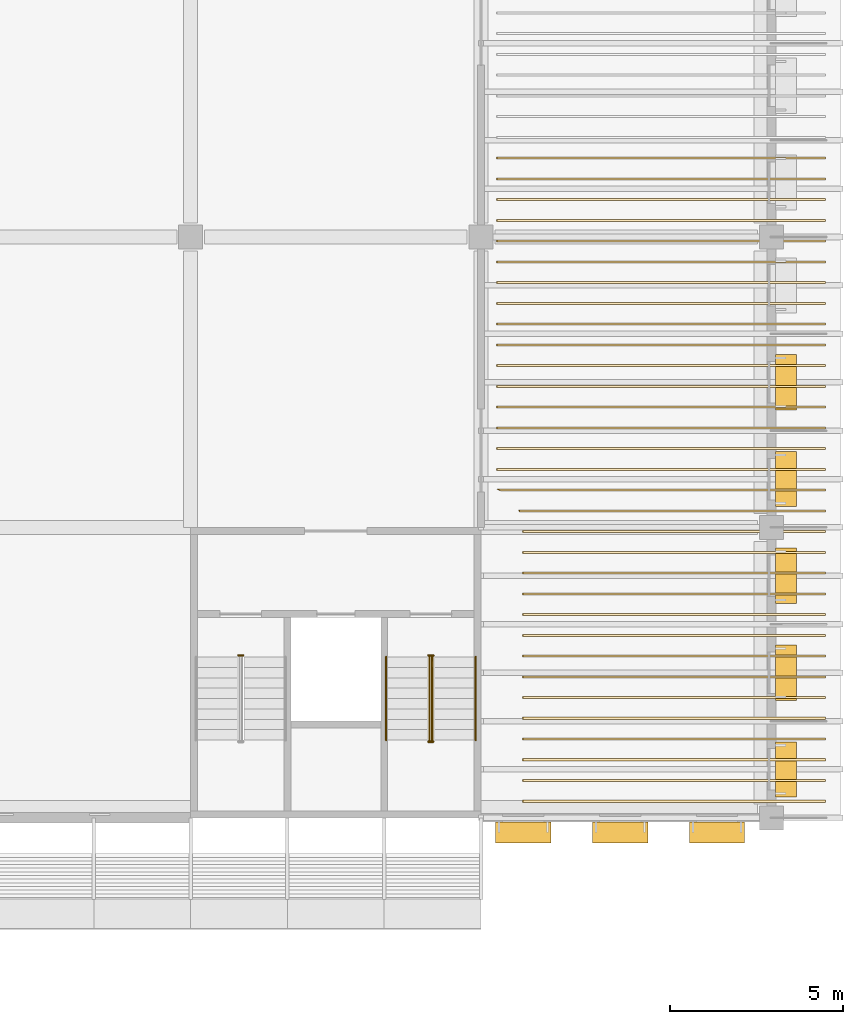
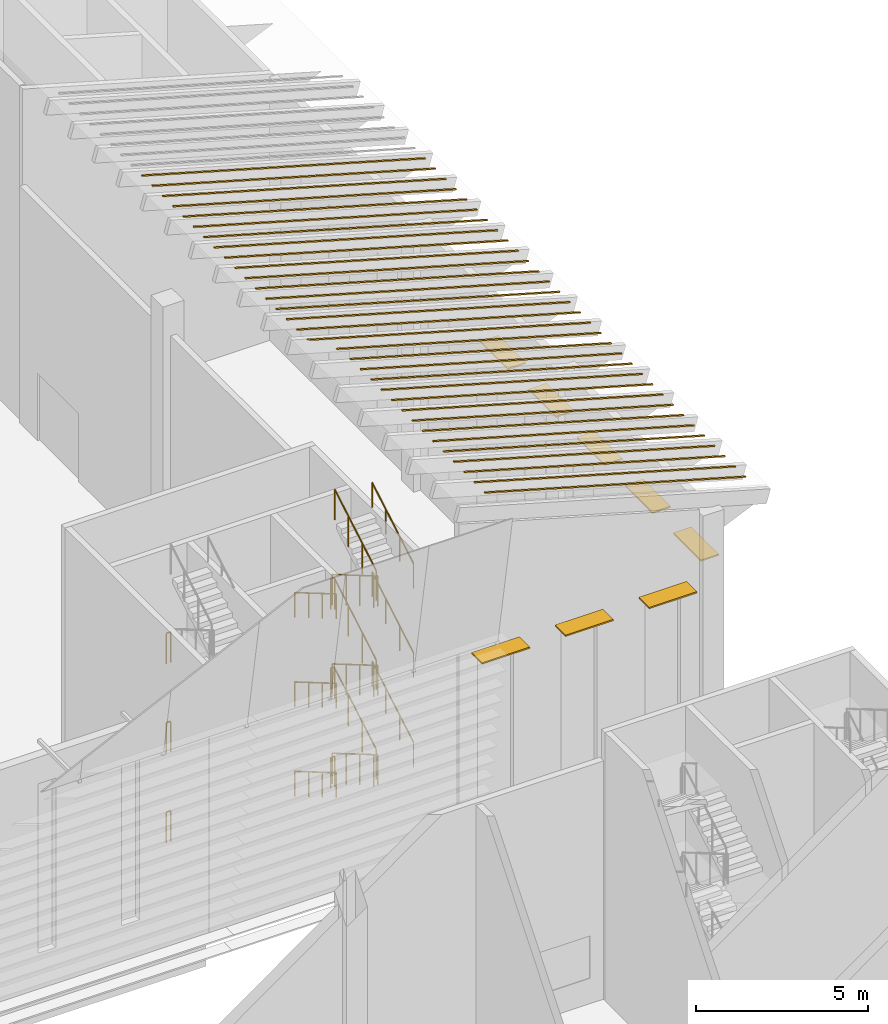
# One storey, part 111 of 114: 32 coverings, 21 railings, 8 shading devices.
"""IFC4 building model written with IfcOpenShell, lengths in metres."""

from ifc_helpers import new_model, si_unit, direction, frame, origin, origin_2d, place, context, subcontext, project, spatial, polyline, rectangle, circle, outline, extrude, material, layer, layer_set, material_profile, profile_set, type_object, element, save


model = new_model("IFC4")

# Units and contexts
model_context = context("Model", 3, precision=1e-05, world=origin(), true_north=direction((0.0, 1.0)))
body_context = subcontext(model_context, "Body", "Model", "MODEL_VIEW")
ifc_project = project(units=[si_unit("LENGTHUNIT", "METRE"), si_unit("AREAUNIT", "SQUARE_METRE"), si_unit("VOLUMEUNIT", "CUBIC_METRE"), si_unit("PLANEANGLEUNIT", "RADIAN"), si_unit("MASSUNIT", "GRAM", prefix="KILO")], contexts=[model_context])

# Site, building, storey
site_placement = place(None, origin())
site = spatial("IfcSite", under=ifc_project, at=site_placement, CompositionType="ELEMENT")
building_placement = place(site_placement, origin())
building = spatial("IfcBuilding", under=site, at=building_placement, Name="Almond Square Museum", CompositionType="ELEMENT")
storey_placement = place(building_placement, frame((0.0, 0.0, 10.5)))
storey = spatial("IfcBuildingStorey", under=building, at=storey_placement, Name="L02", CompositionType="ELEMENT", Elevation=10.5)

# Coverings
ifc_material_1 = material(Name="Zinc standing seam")
ifc_layer = layer(ifc_material_1, 0.0400390625)
ifc_layer_set = layer_set([ifc_layer], Name="Zinc standing seam")
covering_type = type_object("IfcCoveringType", Name="Roof standing seam rib 60 x 40", PredefinedType="CLADDING", material=ifc_layer_set)
covering_1_placement = place(storey_placement, frame((158.75, 50.85009765625, 9.55712890625), z_axis=(0.274721127897, 0.0, 0.961523947641), x_axis=(0.0, 1.0, 0.0)))
element("IfcCovering", 1, at=covering_1_placement, inside=storey, type_object=covering_type, Name="Roof standing seam rib", PredefinedType="CLADDING", context=body_context, shape_type="SweptSolid", body=[
    extrude(outline(polyline([(0.0, 0.0), (0.059814453125, 0.0), (0.059814453125, 9.100137361600648), (0.0, 9.100137361600648), (0.0, 0.0)])), origin(), (0.0, 0.0, 1.0), 0.0400390625),
])
for number, where, z_axis, x_axis, name in (
    (2, (158.75, 51.449951171875, 9.55712890625), (0.274721127897, 0.0, 0.961523947641), (0.0, 1.0, 0.0), "Roof standing seam rib"),
    (3, (158.75, 52.050048828125, 9.55712890625), (0.274721127897, 0.0, 0.961523947641), (0.0, 1.0, 0.0), "Roof standing seam rib"),
    (4, (158.75, 52.64990234375, 9.55712890625), (0.274721127897, 0.0, 0.961523947641), (0.0, 1.0, 0.0), "Roof standing seam rib"),
    (5, (158.75, 53.25, 9.55712890625), (0.274721127897, 0.0, 0.961523947641), (0.0, 1.0, 0.0), "Roof standing seam rib"),
):
    element("IfcCovering", number, at=place(storey_placement, frame(where, z_axis=z_axis, x_axis=x_axis)), inside=storey, type_object=covering_type, Name=name, PredefinedType="CLADDING", context=body_context, shape_type="SweptSolid", body=[
        extrude(outline(polyline([(0.0, 0.0), (0.06005859375, 0.0), (0.06005859375, 9.100137361600648), (0.0, 9.100137361600648), (0.0, 0.0)])), origin(), (0.0, 0.0, 1.0), 0.0400390625),
    ])
covering_2_placement = place(storey_placement, frame((158.75, 53.85009765625, 9.55712890625), z_axis=(0.274721127897, 0.0, 0.961523947641), x_axis=(0.0, 1.0, 0.0)))
element("IfcCovering", 6, at=covering_2_placement, inside=storey, type_object=covering_type, Name="Roof standing seam rib", PredefinedType="CLADDING", context=body_context, shape_type="SweptSolid", body=[
    extrude(outline(polyline([(0.0, 0.0), (0.059814453125, 0.0), (0.059814453125, 9.100137361600648), (0.0, 9.100137361600648), (0.0, 0.0)])), origin(), (0.0, 0.0, 1.0), 0.0400390625),
])
for number, where, z_axis, x_axis, name in (
    (7, (158.75, 54.449951171875, 9.55712890625), (0.274721127897, 0.0, 0.961523947641), (0.0, 1.0, 0.0), "Roof standing seam rib"),
    (8, (158.75, 55.050048828125, 9.55712890625), (0.274721127897, 0.0, 0.961523947641), (0.0, 1.0, 0.0), "Roof standing seam rib"),
    (9, (158.75, 55.64990234375, 9.55712890625), (0.274721127897, 0.0, 0.961523947641), (0.0, 1.0, 0.0), "Roof standing seam rib"),
    (10, (158.75, 56.25, 9.55712890625), (0.274721127897, 0.0, 0.961523947641), (0.0, 1.0, 0.0), "Roof standing seam rib"),
):
    element("IfcCovering", number, at=place(storey_placement, frame(where, z_axis=z_axis, x_axis=x_axis)), inside=storey, type_object=covering_type, Name=name, PredefinedType="CLADDING", context=body_context, shape_type="SweptSolid", body=[
        extrude(outline(polyline([(0.0, 0.0), (0.06005859375, 0.0), (0.06005859375, 9.100137361600648), (0.0, 9.100137361600648), (0.0, 0.0)])), origin(), (0.0, 0.0, 1.0), 0.0400390625),
    ])
covering_3_placement = place(storey_placement, frame((158.75, 56.85009765625, 9.55712890625), z_axis=(0.274721127897, 0.0, 0.961523947641), x_axis=(0.0, 1.0, 0.0)))
element("IfcCovering", 11, at=covering_3_placement, inside=storey, type_object=covering_type, Name="Roof standing seam rib", PredefinedType="CLADDING", context=body_context, shape_type="SweptSolid", body=[
    extrude(outline(polyline([(0.0, 0.0), (0.059814453125, 0.0), (0.059814453125, 9.100137361600648), (0.0, 9.100137361600648), (0.0, 0.0)])), origin(), (0.0, 0.0, 1.0), 0.0400390625),
])
for number, where, z_axis, x_axis, name in (
    (12, (158.75, 57.449951171875, 9.55712890625), (0.274721127897, 0.0, 0.961523947641), (0.0, 1.0, 0.0), "Roof standing seam rib"),
    (13, (158.75, 58.050048828125, 9.55712890625), (0.274721127897, 0.0, 0.961523947641), (0.0, 1.0, 0.0), "Roof standing seam rib"),
    (14, (158.75, 58.64990234375, 9.55712890625), (0.274721127897, 0.0, 0.961523947641), (0.0, 1.0, 0.0), "Roof standing seam rib"),
):
    element("IfcCovering", number, at=place(storey_placement, frame(where, z_axis=z_axis, x_axis=x_axis)), inside=storey, type_object=covering_type, Name=name, PredefinedType="CLADDING", context=body_context, shape_type="SweptSolid", body=[
        extrude(outline(polyline([(0.0, 0.0), (0.06005859375, 0.0), (0.06005859375, 9.100137361600648), (0.0, 9.100137361600648), (0.0, 0.0)])), origin(), (0.0, 0.0, 1.0), 0.0400390625),
    ])
covering_4_placement = place(storey_placement, frame((158.75, 59.25, 9.55712890625), z_axis=(0.274721085071, 0.000558376189, 0.961523797747), x_axis=(-0.000153397736, 0.999999844108, -0.000536892078)))
element("IfcCovering", 15, at=covering_4_placement, inside=storey, type_object=covering_type, Name="Roof standing seam rib", PredefinedType="CLADDING", context=body_context, shape_type="SweptSolid", body=[
    extrude(outline(polyline([(0.0, 0.0), (0.06005858438734591, 1.6278914455043585e-21), (0.06005860311265554, 9.220227249173952), (-1.8725309629263887e-08, 9.19155457286142), (0.0, 0.0)])), origin(), (0.0, 0.0, 1.0), 0.0400390625),
])
covering_5_placement = place(storey_placement, frame((149.255615234375, 59.909912109375, 12.27001953125), z_axis=(0.274727015498, -0.00223525422, 0.961519667295), x_axis=(0.871822851237, -0.421172189515, -0.250077793576)))
element("IfcCovering", 16, at=covering_5_placement, inside=storey, type_object=covering_type, Name="Roof standing seam rib", PredefinedType="CLADDING", context=body_context, shape_type="SweptSolid", body=[
    extrude(outline(polyline([(0.0, 0.0), (0.14201970944104342, 0.0), (8.98104748300836, 4.104568369231632), (8.955855298821037, 4.1588187589324335), (0.0, 0.0)])), origin(), (0.0, 0.0, 1.0), 0.0400390625),
])
for number, where, z_axis, x_axis, name in (
    (17, (158.75, 60.510009765625, 9.55712890625), (0.274727655105, 0.0, 0.9615220827), (-0.9615220827, 0.0, 0.274727655105), "Roof standing seam rib"),
    (18, (158.75, 61.110107421875, 9.55712890625), (0.274727655105, 0.0, 0.9615220827), (-0.9615220827, 0.0, 0.274727655105), "Roof standing seam rib"),
    (19, (158.75, 61.7099609375, 9.55712890625), (0.274727655105, 0.0, 0.9615220827), (-0.9615220827, 0.0, 0.274727655105), "Roof standing seam rib"),
    (20, (158.75, 62.31005859375, 9.55712890625), (0.274727655105, 0.0, 0.9615220827), (-0.9615220827, 0.0, 0.274727655105), "Roof standing seam rib"),
):
    element("IfcCovering", number, at=place(storey_placement, frame(where, z_axis=z_axis, x_axis=x_axis)), inside=storey, type_object=covering_type, Name=name, PredefinedType="CLADDING", context=body_context, shape_type="SweptSolid", body=[
        extrude(outline(polyline([(0.0, 0.0), (9.880168298704888, 0.0), (9.880168298704888, 0.06005859375), (0.0, 0.06005859375), (0.0, 0.0)])), origin(), (0.0, 0.0, 1.0), 0.0400390625),
    ])
covering_6_placement = place(storey_placement, frame((158.75, 62.909912109375, 9.55712890625), z_axis=(0.274727655105, 0.0, 0.9615220827), x_axis=(-0.9615220827, 0.0, 0.274727655105)))
element("IfcCovering", 21, at=covering_6_placement, inside=storey, type_object=covering_type, Name="Roof standing seam rib", PredefinedType="CLADDING", context=body_context, shape_type="SweptSolid", body=[
    extrude(outline(polyline([(0.0, 0.0), (9.880168298704888, 0.0), (9.880168298704888, 0.059814453125000014), (0.0, 0.059814453125000014), (0.0, 0.0)])), origin(), (0.0, 0.0, 1.0), 0.0400390625),
])
for number, where, z_axis, x_axis, name in (
    (22, (158.75, 63.510009765625, 9.55712890625), (0.274727655105, 0.0, 0.9615220827), (-0.9615220827, 0.0, 0.274727655105), "Roof standing seam rib"),
    (23, (158.75, 64.110107421875, 9.55712890625), (0.274727655105, 0.0, 0.9615220827), (-0.9615220827, 0.0, 0.274727655105), "Roof standing seam rib"),
    (24, (158.75, 64.7099609375, 9.55712890625), (0.274727655105, 0.0, 0.9615220827), (-0.9615220827, 0.0, 0.274727655105), "Roof standing seam rib"),
    (25, (158.75, 65.31005859375, 9.55712890625), (0.274727655105, 0.0, 0.9615220827), (-0.9615220827, 0.0, 0.274727655105), "Roof standing seam rib"),
):
    element("IfcCovering", number, at=place(storey_placement, frame(where, z_axis=z_axis, x_axis=x_axis)), inside=storey, type_object=covering_type, Name=name, PredefinedType="CLADDING", context=body_context, shape_type="SweptSolid", body=[
        extrude(outline(polyline([(0.0, 0.0), (9.880168298704888, 0.0), (9.880168298704888, 0.06005859375), (0.0, 0.06005859375), (0.0, 0.0)])), origin(), (0.0, 0.0, 1.0), 0.0400390625),
    ])
covering_7_placement = place(storey_placement, frame((158.75, 65.909912109375, 9.55712890625), z_axis=(0.274727655105, 0.0, 0.9615220827), x_axis=(-0.9615220827, 0.0, 0.274727655105)))
element("IfcCovering", 26, at=covering_7_placement, inside=storey, type_object=covering_type, Name="Roof standing seam rib", PredefinedType="CLADDING", context=body_context, shape_type="SweptSolid", body=[
    extrude(outline(polyline([(0.0, 0.0), (9.880168298704888, 0.0), (9.880168298704888, 0.059814453125000014), (0.0, 0.059814453125000014), (0.0, 0.0)])), origin(), (0.0, 0.0, 1.0), 0.0400390625),
])
for number, where, z_axis, x_axis, name in (
    (27, (158.75, 66.510009765625, 9.55712890625), (0.274727655105, 0.0, 0.9615220827), (-0.9615220827, 0.0, 0.274727655105), "Roof standing seam rib"),
    (28, (158.75, 67.110107421875, 9.55712890625), (0.274727655105, 0.0, 0.9615220827), (-0.9615220827, 0.0, 0.274727655105), "Roof standing seam rib"),
    (29, (158.75, 67.7099609375, 9.55712890625), (0.274727655105, 0.0, 0.9615220827), (-0.9615220827, 0.0, 0.274727655105), "Roof standing seam rib"),
    (30, (158.75, 68.31005859375, 9.55712890625), (0.274727655105, 0.0, 0.9615220827), (-0.9615220827, 0.0, 0.274727655105), "Roof standing seam rib"),
):
    element("IfcCovering", number, at=place(storey_placement, frame(where, z_axis=z_axis, x_axis=x_axis)), inside=storey, type_object=covering_type, Name=name, PredefinedType="CLADDING", context=body_context, shape_type="SweptSolid", body=[
        extrude(outline(polyline([(0.0, 0.0), (9.880168298704888, 0.0), (9.880168298704888, 0.06005859375), (0.0, 0.06005859375), (0.0, 0.0)])), origin(), (0.0, 0.0, 1.0), 0.0400390625),
    ])
covering_8_placement = place(storey_placement, frame((158.75, 68.909912109375, 9.55712890625), z_axis=(0.274727655105, 0.0, 0.9615220827), x_axis=(-0.9615220827, 0.0, 0.274727655105)))
element("IfcCovering", 31, at=covering_8_placement, inside=storey, type_object=covering_type, Name="Roof standing seam rib", PredefinedType="CLADDING", context=body_context, shape_type="SweptSolid", body=[
    extrude(outline(polyline([(0.0, 0.0), (9.880168298704888, 0.0), (9.880168298704888, 0.059814453125000014), (0.0, 0.059814453125000014), (0.0, 0.0)])), origin(), (0.0, 0.0, 1.0), 0.0400390625),
])
covering_9_placement = place(storey_placement, frame((158.75, 69.510009765625, 9.55712890625), z_axis=(0.274727655105, 0.0, 0.9615220827), x_axis=(-0.9615220827, 0.0, 0.274727655105)))
element("IfcCovering", 32, at=covering_9_placement, inside=storey, type_object=covering_type, Name="Roof standing seam rib", PredefinedType="CLADDING", context=body_context, shape_type="SweptSolid", body=[
    extrude(outline(polyline([(0.0, 0.0), (9.880168298704888, 0.0), (9.880168298704888, 0.06005859375), (0.0, 0.06005859375), (0.0, 0.0)])), origin(), (0.0, 0.0, 1.0), 0.0400390625),
])

# Railings
ifc_material_2 = material(Name="Stainless steel and laminated glass", Category="steel")
railing_type_1 = type_object("IfcRailingType", Name="Stair guard 1100 steel and glass", PredefinedType="GUARDRAIL", material=ifc_material_2)
for number, where, name in (
    (33, (141.780029296875, 55.10009765625, 3.166748046875), "L02 ST-03 stair guard 4"),
    (34, (141.780029296875, 55.10009765625, 6.333251953125), "L02 ST-03 stair guard 8"),
    (35, (141.780029296875, 55.10009765625, 0.0), "L02 ST-03 stair guard 12"),
):
    element("IfcRailing", number, at=place(storey_placement, frame(where)), inside=storey, type_object=railing_type_1, Name=name, PredefinedType="GUARDRAIL", context=body_context, shape_type="SweptSolid", body=[
        extrude(circle(Radius=0.02392578125, at=origin_2d()), frame((0.0, 0.0, 1.076171875), z_axis=(1.0, 0.0, 0.0), x_axis=(0.0, 1.0, 0.0)), (0.0, 0.0, 1.0), 0.139892578125),
        extrude(circle(Radius=0.02099609375, at=origin_2d()), origin(), (0.0, 0.0, 1.0), 1.052001953125),
        extrude(circle(Radius=0.02099609375, at=origin_2d()), frame((0.139892578125, 0.0, 0.0)), (0.0, 0.0, 1.0), 1.052001953125),
    ])
railing_1_placement = place(storey_placement, frame((147.31005859375, 55.050048828125, 0.176025390625)))
element("IfcRailing", 36, at=railing_1_placement, inside=storey, type_object=railing_type_1, Name="L02 ST-04 stair guard 1", PredefinedType="GUARDRAIL", context=body_context, shape_type="SweptSolid", body=[
    extrude(circle(Radius=0.02392578125, at=origin_2d()), frame((0.0, 0.0, 1.076171875), z_axis=(0.0, -0.862659684245, 0.505784805207), x_axis=(1.0, 0.0, 0.0)), (0.0, 0.0, 1.0), 2.7822265625),
    extrude(circle(Radius=0.02099609375, at=origin_2d()), origin(), (0.0, 0.0, 1.0), 1.052001953125),
    extrude(circle(Radius=0.02099609375, at=origin_2d()), frame((0.0, -0.800048828125, 0.468994140625)), (0.0, 0.0, 1.0), 1.052001953125),
    extrude(circle(Radius=0.02099609375, at=origin_2d()), frame((0.0, -1.60009765625, 0.938232421875)), (0.0, 0.0, 1.0), 1.052001953125),
    extrude(circle(Radius=0.02099609375, at=origin_2d()), frame((0.0, -2.400146484375, 1.4072265625)), (0.0, 0.0, 1.0), 1.052001953125),
])
railing_2_placement = place(storey_placement, frame((147.280029296875, 52.60009765625, 1.583251953125)))
element("IfcRailing", 37, at=railing_2_placement, inside=storey, type_object=railing_type_1, Name="L02 ST-04 stair guard 2", PredefinedType="GUARDRAIL", context=body_context, shape_type="SweptSolid", body=[
    extrude(circle(Radius=0.02392578125, at=origin_2d()), frame((0.0, 0.0, 1.076171875), z_axis=(1.0, 0.0, 0.0), x_axis=(0.0, 1.0, 0.0)), (0.0, 0.0, 1.0), 0.139892578125),
    extrude(circle(Radius=0.02099609375, at=origin_2d()), origin(), (0.0, 0.0, 1.0), 1.052001953125),
    extrude(circle(Radius=0.02099609375, at=origin_2d()), frame((0.139892578125, 0.0, 0.0)), (0.0, 0.0, 1.0), 1.052001953125),
])
railing_3_placement = place(storey_placement, frame((147.389892578125, 52.64990234375, 1.75927734375)))
element("IfcRailing", 38, at=railing_3_placement, inside=storey, type_object=railing_type_1, Name="L02 ST-04 stair guard 3", PredefinedType="GUARDRAIL", context=body_context, shape_type="SweptSolid", body=[
    extrude(circle(Radius=0.02392578125, at=origin_2d()), frame((0.0, 0.0, 1.076171875), z_axis=(0.0, 0.862621396848, 0.505850102007), x_axis=(-1.0, 0.0, 0.0)), (0.0, 0.0, 1.0), 2.782470703125),
    extrude(circle(Radius=0.02099609375, at=origin_2d()), origin(), (0.0, 0.0, 1.0), 1.052001953125),
    extrude(circle(Radius=0.02099609375, at=origin_2d()), frame((0.0, 0.800048828125, 0.46923828125)), (0.0, 0.0, 1.0), 1.052001953125),
    extrude(circle(Radius=0.02099609375, at=origin_2d()), frame((0.0, 1.60009765625, 0.938232421875)), (0.0, 0.0, 1.0), 1.052001953125),
    extrude(circle(Radius=0.02099609375, at=origin_2d()), frame((0.0, 2.400146484375, 1.407470703125)), (0.0, 0.0, 1.0), 1.052001953125),
])
railing_4_placement = place(storey_placement, frame((147.280029296875, 55.10009765625, 3.166748046875)))
element("IfcRailing", 39, at=railing_4_placement, inside=storey, type_object=railing_type_1, Name="L02 ST-04 stair guard 4", PredefinedType="GUARDRAIL", context=body_context, shape_type="SweptSolid", body=[
    extrude(circle(Radius=0.02392578125, at=origin_2d()), frame((0.0, 0.0, 1.076171875), z_axis=(1.0, 0.0, 0.0), x_axis=(0.0, 1.0, 0.0)), (0.0, 0.0, 1.0), 0.139892578125),
    extrude(circle(Radius=0.02099609375, at=origin_2d()), origin(), (0.0, 0.0, 1.0), 1.052001953125),
    extrude(circle(Radius=0.02099609375, at=origin_2d()), frame((0.139892578125, 0.0, 0.0)), (0.0, 0.0, 1.0), 1.052001953125),
])
railing_5_placement = place(storey_placement, frame((147.31005859375, 55.050048828125, 3.342529296875)))
element("IfcRailing", 40, at=railing_5_placement, inside=storey, type_object=railing_type_1, Name="L02 ST-04 stair guard 5", PredefinedType="GUARDRAIL", context=body_context, shape_type="SweptSolid", body=[
    extrude(circle(Radius=0.02392578125, at=origin_2d()), frame((0.0, 0.0, 1.076171875), z_axis=(0.0, -0.862621396848, 0.505850102007), x_axis=(1.0, 0.0, 0.0)), (0.0, 0.0, 1.0), 2.782470703125),
    extrude(circle(Radius=0.02099609375, at=origin_2d()), origin(), (0.0, 0.0, 1.0), 1.052001953125),
    extrude(circle(Radius=0.02099609375, at=origin_2d()), frame((0.0, -0.800048828125, 0.46923828125)), (0.0, 0.0, 1.0), 1.052001953125),
    extrude(circle(Radius=0.02099609375, at=origin_2d()), frame((0.0, -1.60009765625, 0.938232421875)), (0.0, 0.0, 1.0), 1.052001953125),
    extrude(circle(Radius=0.02099609375, at=origin_2d()), frame((0.0, -2.400146484375, 1.407470703125)), (0.0, 0.0, 1.0), 1.052001953125),
])
railing_6_placement = place(storey_placement, frame((147.280029296875, 52.60009765625, 4.75)))
element("IfcRailing", 41, at=railing_6_placement, inside=storey, type_object=railing_type_1, Name="L02 ST-04 stair guard 6", PredefinedType="GUARDRAIL", context=body_context, shape_type="SweptSolid", body=[
    extrude(circle(Radius=0.02392578125, at=origin_2d()), frame((0.0, 0.0, 1.076171875), z_axis=(1.0, 0.0, 0.0), x_axis=(0.0, 1.0, 0.0)), (0.0, 0.0, 1.0), 0.139892578125),
    extrude(circle(Radius=0.02099609375, at=origin_2d()), origin(), (0.0, 0.0, 1.0), 1.052001953125),
    extrude(circle(Radius=0.02099609375, at=origin_2d()), frame((0.139892578125, 0.0, 0.0)), (0.0, 0.0, 1.0), 1.052001953125),
])
railing_7_placement = place(storey_placement, frame((147.389892578125, 52.64990234375, 4.926025390625)))
element("IfcRailing", 42, at=railing_7_placement, inside=storey, type_object=railing_type_1, Name="L02 ST-04 stair guard 7", PredefinedType="GUARDRAIL", context=body_context, shape_type="SweptSolid", body=[
    extrude(circle(Radius=0.02392578125, at=origin_2d()), frame((0.0, 0.0, 1.076171875), z_axis=(0.0, 0.862659684245, 0.505784805207), x_axis=(-1.0, 0.0, 0.0)), (0.0, 0.0, 1.0), 2.7822265625),
    extrude(circle(Radius=0.02099609375, at=origin_2d()), origin(), (0.0, 0.0, 1.0), 1.052001953125),
    extrude(circle(Radius=0.02099609375, at=origin_2d()), frame((0.0, 0.800048828125, 0.468994140625)), (0.0, 0.0, 1.0), 1.052001953125),
    extrude(circle(Radius=0.02099609375, at=origin_2d()), frame((0.0, 1.60009765625, 0.938232421875)), (0.0, 0.0, 1.0), 1.052001953125),
    extrude(circle(Radius=0.02099609375, at=origin_2d()), frame((0.0, 2.400146484375, 1.4072265625)), (0.0, 0.0, 1.0), 1.052001953125),
])
railing_8_placement = place(storey_placement, frame((147.280029296875, 55.10009765625, 6.333251953125)))
element("IfcRailing", 43, at=railing_8_placement, inside=storey, type_object=railing_type_1, Name="L02 ST-04 stair guard 8", PredefinedType="GUARDRAIL", context=body_context, shape_type="SweptSolid", body=[
    extrude(circle(Radius=0.02392578125, at=origin_2d()), frame((0.0, 0.0, 1.076171875), z_axis=(1.0, 0.0, 0.0), x_axis=(0.0, 1.0, 0.0)), (0.0, 0.0, 1.0), 0.139892578125),
    extrude(circle(Radius=0.02099609375, at=origin_2d()), origin(), (0.0, 0.0, 1.0), 1.052001953125),
    extrude(circle(Radius=0.02099609375, at=origin_2d()), frame((0.139892578125, 0.0, 0.0)), (0.0, 0.0, 1.0), 1.052001953125),
])
railing_9_placement = place(storey_placement, frame((147.31005859375, 55.050048828125, 6.50927734375)))
element("IfcRailing", 44, at=railing_9_placement, inside=storey, type_object=railing_type_1, Name="L02 ST-04 stair guard 9", PredefinedType="GUARDRAIL", context=body_context, shape_type="SweptSolid", body=[
    extrude(circle(Radius=0.02392578125, at=origin_2d()), frame((0.0, 0.0, 1.076171875), z_axis=(0.0, -0.862621396848, 0.505850102007), x_axis=(1.0, 0.0, 0.0)), (0.0, 0.0, 1.0), 2.782470703125),
    extrude(circle(Radius=0.02099609375, at=origin_2d()), origin(), (0.0, 0.0, 1.0), 1.052001953125),
    extrude(circle(Radius=0.02099609375, at=origin_2d()), frame((0.0, -0.800048828125, 0.46923828125)), (0.0, 0.0, 1.0), 1.052001953125),
    extrude(circle(Radius=0.02099609375, at=origin_2d()), frame((0.0, -1.60009765625, 0.938232421875)), (0.0, 0.0, 1.0), 1.052001953125),
    extrude(circle(Radius=0.02099609375, at=origin_2d()), frame((0.0, -2.400146484375, 1.407470703125)), (0.0, 0.0, 1.0), 1.052001953125),
])
railing_10_placement = place(storey_placement, frame((147.280029296875, 52.60009765625, 7.916748046875)))
element("IfcRailing", 45, at=railing_10_placement, inside=storey, type_object=railing_type_1, Name="L02 ST-04 stair guard 10", PredefinedType="GUARDRAIL", context=body_context, shape_type="SweptSolid", body=[
    extrude(circle(Radius=0.02392578125, at=origin_2d()), frame((0.0, 0.0, 1.076171875), z_axis=(1.0, 0.0, 0.0), x_axis=(0.0, 1.0, 0.0)), (0.0, 0.0, 1.0), 0.139892578125),
    extrude(circle(Radius=0.02099609375, at=origin_2d()), origin(), (0.0, 0.0, 1.0), 1.052001953125),
    extrude(circle(Radius=0.02099609375, at=origin_2d()), frame((0.139892578125, 0.0, 0.0)), (0.0, 0.0, 1.0), 1.052001953125),
])
railing_11_placement = place(storey_placement, frame((147.389892578125, 52.64990234375, 8.092529296875)))
element("IfcRailing", 46, at=railing_11_placement, inside=storey, type_object=railing_type_1, Name="L02 ST-04 stair guard 11", PredefinedType="GUARDRAIL", context=body_context, shape_type="SweptSolid", body=[
    extrude(circle(Radius=0.02392578125, at=origin_2d()), frame((0.0, 0.0, 1.076171875), z_axis=(0.0, 0.862621396848, 0.505850102007), x_axis=(-1.0, 0.0, 0.0)), (0.0, 0.0, 1.0), 2.782470703125),
    extrude(circle(Radius=0.02099609375, at=origin_2d()), origin(), (0.0, 0.0, 1.0), 1.052001953125),
    extrude(circle(Radius=0.02099609375, at=origin_2d()), frame((0.0, 0.800048828125, 0.46923828125)), (0.0, 0.0, 1.0), 1.052001953125),
    extrude(circle(Radius=0.02099609375, at=origin_2d()), frame((0.0, 1.60009765625, 0.938232421875)), (0.0, 0.0, 1.0), 1.052001953125),
    extrude(circle(Radius=0.02099609375, at=origin_2d()), frame((0.0, 2.400146484375, 1.407470703125)), (0.0, 0.0, 1.0), 1.052001953125),
])
railing_12_placement = place(storey_placement, frame((147.280029296875, 55.10009765625, 0.0)))
element("IfcRailing", 47, at=railing_12_placement, inside=storey, type_object=railing_type_1, Name="L02 ST-04 stair guard 12", PredefinedType="GUARDRAIL", context=body_context, shape_type="SweptSolid", body=[
    extrude(circle(Radius=0.02392578125, at=origin_2d()), frame((0.0, 0.0, 1.076171875), z_axis=(1.0, 0.0, 0.0), x_axis=(0.0, 1.0, 0.0)), (0.0, 0.0, 1.0), 0.139892578125),
    extrude(circle(Radius=0.02099609375, at=origin_2d()), origin(), (0.0, 0.0, 1.0), 1.052001953125),
    extrude(circle(Radius=0.02099609375, at=origin_2d()), frame((0.139892578125, 0.0, 0.0)), (0.0, 0.0, 1.0), 1.052001953125),
])
ifc_material_3 = material(Name="Stainless steel", Category="steel")
railing_type_2 = type_object("IfcRailingType", Name="Stair handrail 900 steel", PredefinedType="HANDRAIL", material=ifc_material_3)
railing_13_placement = place(storey_placement, frame((146.054931640625, 55.050048828125, 0.176025390625)))
element("IfcRailing", 48, at=railing_13_placement, inside=storey, type_object=railing_type_2, Name="L02 ST-04 stair handrail 1", PredefinedType="HANDRAIL", context=body_context, shape_type="SweptSolid", body=[
    extrude(circle(Radius=0.02392578125, at=origin_2d()), frame((0.0, 0.0, 0.8759765625), z_axis=(0.0, -0.862659684245, 0.505784805207), x_axis=(1.0, 0.0, 0.0)), (0.0, 0.0, 1.0), 2.7822265625),
    extrude(circle(Radius=0.02099609375, at=origin_2d()), origin(), (0.0, 0.0, 1.0), 0.851806640625),
    extrude(circle(Radius=0.02099609375, at=origin_2d()), frame((0.0, -0.800048828125, 0.468994140625)), (0.0, 0.0, 1.0), 0.851806640625),
    extrude(circle(Radius=0.02099609375, at=origin_2d()), frame((0.0, -1.60009765625, 0.938232421875)), (0.0, 0.0, 1.0), 0.851806640625),
    extrude(circle(Radius=0.02099609375, at=origin_2d()), frame((0.0, -2.400146484375, 1.4072265625)), (0.0, 0.0, 1.0), 0.851806640625),
])
railing_14_placement = place(storey_placement, frame((148.64501953125, 52.64990234375, 1.75927734375)))
element("IfcRailing", 49, at=railing_14_placement, inside=storey, type_object=railing_type_2, Name="L02 ST-04 stair handrail 2", PredefinedType="HANDRAIL", context=body_context, shape_type="SweptSolid", body=[
    extrude(circle(Radius=0.02392578125, at=origin_2d()), frame((0.0, 0.0, 0.8759765625), z_axis=(0.0, 0.862621396848, 0.505850102007), x_axis=(-1.0, 0.0, 0.0)), (0.0, 0.0, 1.0), 2.782470703125),
    extrude(circle(Radius=0.02099609375, at=origin_2d()), origin(), (0.0, 0.0, 1.0), 0.851806640625),
    extrude(circle(Radius=0.02099609375, at=origin_2d()), frame((0.0, 0.800048828125, 0.46923828125)), (0.0, 0.0, 1.0), 0.851806640625),
    extrude(circle(Radius=0.02099609375, at=origin_2d()), frame((0.0, 1.60009765625, 0.938232421875)), (0.0, 0.0, 1.0), 0.851806640625),
    extrude(circle(Radius=0.02099609375, at=origin_2d()), frame((0.0, 2.400146484375, 1.407470703125)), (0.0, 0.0, 1.0), 0.851806640625),
])
railing_15_placement = place(storey_placement, frame((146.054931640625, 55.050048828125, 3.342529296875)))
element("IfcRailing", 50, at=railing_15_placement, inside=storey, type_object=railing_type_2, Name="L02 ST-04 stair handrail 3", PredefinedType="HANDRAIL", context=body_context, shape_type="SweptSolid", body=[
    extrude(circle(Radius=0.02392578125, at=origin_2d()), frame((0.0, 0.0, 0.8759765625), z_axis=(0.0, -0.862621396848, 0.505850102007), x_axis=(1.0, 0.0, 0.0)), (0.0, 0.0, 1.0), 2.782470703125),
    extrude(circle(Radius=0.02099609375, at=origin_2d()), origin(), (0.0, 0.0, 1.0), 0.851806640625),
    extrude(circle(Radius=0.02099609375, at=origin_2d()), frame((0.0, -0.800048828125, 0.46923828125)), (0.0, 0.0, 1.0), 0.851806640625),
    extrude(circle(Radius=0.02099609375, at=origin_2d()), frame((0.0, -1.60009765625, 0.938232421875)), (0.0, 0.0, 1.0), 0.851806640625),
    extrude(circle(Radius=0.02099609375, at=origin_2d()), frame((0.0, -2.400146484375, 1.407470703125)), (0.0, 0.0, 1.0), 0.851806640625),
])
railing_16_placement = place(storey_placement, frame((148.64501953125, 52.64990234375, 4.926025390625)))
element("IfcRailing", 51, at=railing_16_placement, inside=storey, type_object=railing_type_2, Name="L02 ST-04 stair handrail 4", PredefinedType="HANDRAIL", context=body_context, shape_type="SweptSolid", body=[
    extrude(circle(Radius=0.02392578125, at=origin_2d()), frame((0.0, 0.0, 0.8759765625), z_axis=(0.0, 0.862659684245, 0.505784805207), x_axis=(-1.0, 0.0, 0.0)), (0.0, 0.0, 1.0), 2.7822265625),
    extrude(circle(Radius=0.02099609375, at=origin_2d()), origin(), (0.0, 0.0, 1.0), 0.851806640625),
    extrude(circle(Radius=0.02099609375, at=origin_2d()), frame((0.0, 0.800048828125, 0.468994140625)), (0.0, 0.0, 1.0), 0.851806640625),
    extrude(circle(Radius=0.02099609375, at=origin_2d()), frame((0.0, 1.60009765625, 0.938232421875)), (0.0, 0.0, 1.0), 0.851806640625),
    extrude(circle(Radius=0.02099609375, at=origin_2d()), frame((0.0, 2.400146484375, 1.4072265625)), (0.0, 0.0, 1.0), 0.851806640625),
])
railing_17_placement = place(storey_placement, frame((146.054931640625, 55.050048828125, 6.50927734375)))
element("IfcRailing", 52, at=railing_17_placement, inside=storey, type_object=railing_type_2, Name="L02 ST-04 stair handrail 5", PredefinedType="HANDRAIL", context=body_context, shape_type="SweptSolid", body=[
    extrude(circle(Radius=0.02392578125, at=origin_2d()), frame((0.0, 0.0, 0.8759765625), z_axis=(0.0, -0.862621396848, 0.505850102007), x_axis=(1.0, 0.0, 0.0)), (0.0, 0.0, 1.0), 2.782470703125),
    extrude(circle(Radius=0.02099609375, at=origin_2d()), origin(), (0.0, 0.0, 1.0), 0.851806640625),
    extrude(circle(Radius=0.02099609375, at=origin_2d()), frame((0.0, -0.800048828125, 0.46923828125)), (0.0, 0.0, 1.0), 0.851806640625),
    extrude(circle(Radius=0.02099609375, at=origin_2d()), frame((0.0, -1.60009765625, 0.938232421875)), (0.0, 0.0, 1.0), 0.851806640625),
    extrude(circle(Radius=0.02099609375, at=origin_2d()), frame((0.0, -2.400146484375, 1.407470703125)), (0.0, 0.0, 1.0), 0.851806640625),
])
railing_18_placement = place(storey_placement, frame((148.64501953125, 52.64990234375, 8.092529296875)))
element("IfcRailing", 53, at=railing_18_placement, inside=storey, type_object=railing_type_2, Name="L02 ST-04 stair handrail 6", PredefinedType="HANDRAIL", context=body_context, shape_type="SweptSolid", body=[
    extrude(circle(Radius=0.02392578125, at=origin_2d()), frame((0.0, 0.0, 0.8759765625), z_axis=(0.0, 0.862621396848, 0.505850102007), x_axis=(-1.0, 0.0, 0.0)), (0.0, 0.0, 1.0), 2.782470703125),
    extrude(circle(Radius=0.02099609375, at=origin_2d()), origin(), (0.0, 0.0, 1.0), 0.851806640625),
    extrude(circle(Radius=0.02099609375, at=origin_2d()), frame((0.0, 0.800048828125, 0.46923828125)), (0.0, 0.0, 1.0), 0.851806640625),
    extrude(circle(Radius=0.02099609375, at=origin_2d()), frame((0.0, 1.60009765625, 0.938232421875)), (0.0, 0.0, 1.0), 0.851806640625),
    extrude(circle(Radius=0.02099609375, at=origin_2d()), frame((0.0, 2.400146484375, 1.407470703125)), (0.0, 0.0, 1.0), 0.851806640625),
])

# Shading devices
ifc_material_4 = material(Name="Anodised aluminium", Category="aluminium")
ifc_material_profile = material_profile(ifc_material_4, rectangle(XDim=0.60009765625, YDim=0.050048828125, at=origin_2d()))
ifc_profile_set = profile_set([ifc_material_profile], Name="Anodised aluminium")
shading_device_type = type_object("IfcShadingDeviceType", Name="Sun-shade blade 600 x 50", PredefinedType="USERDEFINED", material=ifc_profile_set)
shading_device_placement = place(storey_placement, frame((149.22509765625, 49.97705078125, 7.02001953125), z_axis=(1.0, 0.0, 0.0), x_axis=(0.0, 1.0, 0.0)))
element("IfcShadingDevice", 54, at=shading_device_placement, inside=storey, type_object=shading_device_type, Name="Sun-shade blade", ObjectType="LOUVRE", PredefinedType="USERDEFINED", context=body_context, shape_type="SweptSolid", body=[
    extrude(rectangle(XDim=0.60009765625, YDim=0.050048828125, at=origin_2d()), origin(), (0.0, 0.0, 1.0), 1.599853515625),
])
for number, where, z_axis, x_axis, name in (
    (55, (152.02490234375, 49.97705078125, 7.02001953125), (1.0, 0.0, 0.0), (0.0, 1.0, 0.0), "Sun-shade blade"),
    (56, (154.824951171875, 49.97705078125, 7.02001953125), (1.0, 0.0, 0.0), (0.0, 1.0, 0.0), "Sun-shade blade"),
    (57, (157.623046875, 51.0, 7.02001953125), (0.0, 1.0, 0.0), (-1.0, 0.0, 0.0), "Sun-shade blade"),
):
    element("IfcShadingDevice", number, at=place(storey_placement, frame(where, z_axis=z_axis, x_axis=x_axis)), inside=storey, type_object=shading_device_type, Name=name, ObjectType="LOUVRE", PredefinedType="USERDEFINED", context=body_context, shape_type="SweptSolid", body=[
        extrude(rectangle(XDim=0.60009765625, YDim=0.050048828125, at=origin_2d()), origin(), (0.0, 0.0, 1.0), 1.60009765625),
    ])
for number, where, z_axis, x_axis, name in (
    (58, (157.623046875, 53.800048828125, 7.02001953125), (0.0, 1.0, 0.0), (-1.0, 0.0, 0.0), "Sun-shade blade"),
    (59, (157.623046875, 56.60009765625, 7.02001953125), (0.0, 1.0, 0.0), (-1.0, 0.0, 0.0), "Sun-shade blade"),
):
    element("IfcShadingDevice", number, at=place(storey_placement, frame(where, z_axis=z_axis, x_axis=x_axis)), inside=storey, type_object=shading_device_type, Name=name, ObjectType="LOUVRE", PredefinedType="USERDEFINED", context=body_context, shape_type="SweptSolid", body=[
        extrude(rectangle(XDim=0.60009765625, YDim=0.050048828125, at=origin_2d()), origin(), (0.0, 0.0, 1.0), 1.599853515625),
    ])
for number, where, z_axis, x_axis, name in (
    (60, (157.623046875, 59.39990234375, 7.02001953125), (0.0, 1.0, 0.0), (-1.0, 0.0, 0.0), "Sun-shade blade"),
    (61, (157.623046875, 62.199951171875, 7.02001953125), (0.0, 1.0, 0.0), (-1.0, 0.0, 0.0), "Sun-shade blade"),
):
    element("IfcShadingDevice", number, at=place(storey_placement, frame(where, z_axis=z_axis, x_axis=x_axis)), inside=storey, type_object=shading_device_type, Name=name, ObjectType="LOUVRE", PredefinedType="USERDEFINED", context=body_context, shape_type="SweptSolid", body=[
        extrude(rectangle(XDim=0.60009765625, YDim=0.050048828125, at=origin_2d()), origin(), (0.0, 0.0, 1.0), 1.60009765625),
    ])

save(model, "model.ifc")
